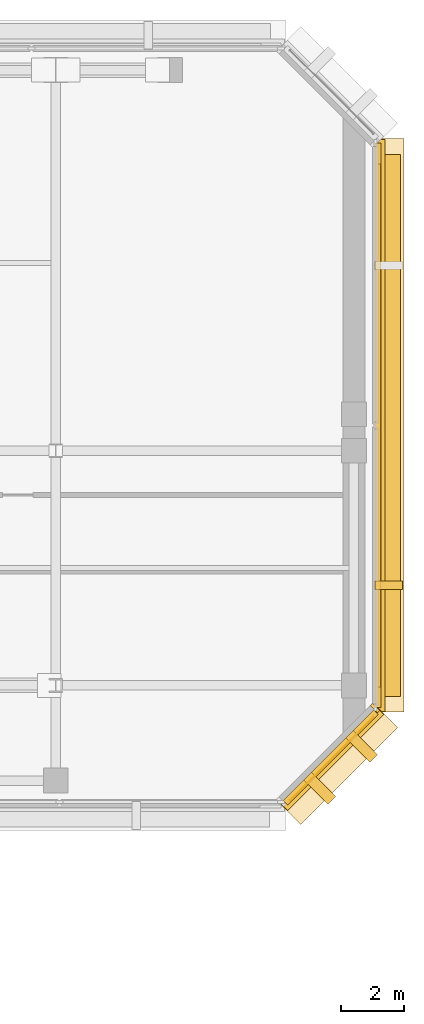
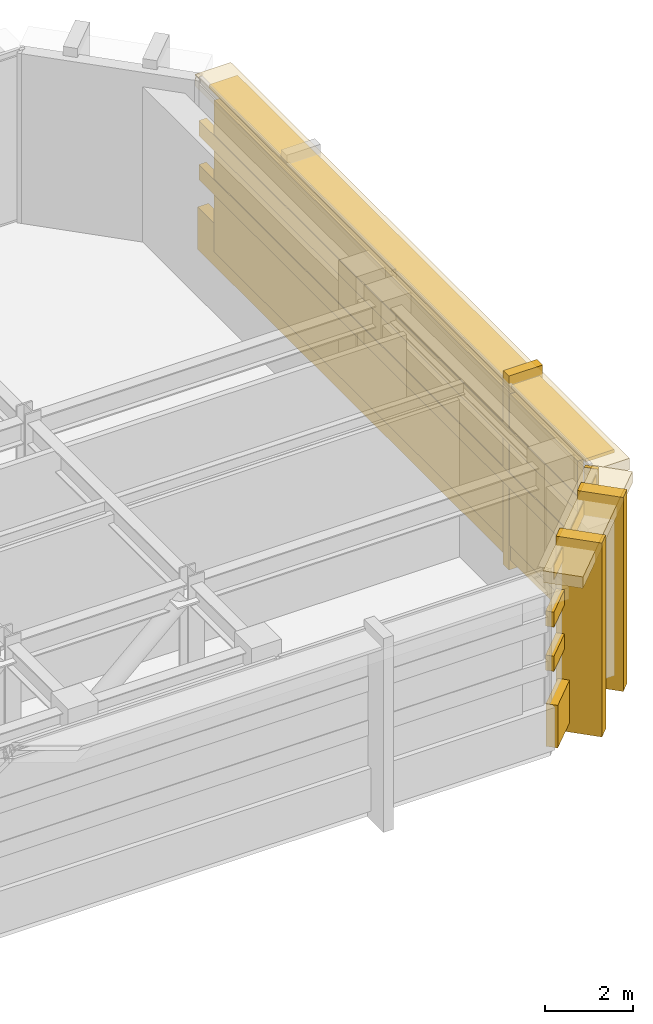
# One storey, part 9 of 11: 13 coverings, 2 shading devices.
"""IFC4 building model written with IfcOpenShell, lengths in metres."""

from ifc_helpers import new_model, si_unit, direction, frame, origin, origin_2d, place, context, subcontext, project, spatial, rectangle, extrude, material, layer, layer_set, type_object, element, save


model = new_model("IFC4")

# Units and contexts
model_context = context("Model", 3, precision=1e-05, world=origin(), true_north=direction((0.0, 1.0)))
body_context = subcontext(model_context, "Body", "Model", "MODEL_VIEW")
ifc_project = project(units=[si_unit("LENGTHUNIT", "METRE"), si_unit("AREAUNIT", "SQUARE_METRE"), si_unit("VOLUMEUNIT", "CUBIC_METRE"), si_unit("PLANEANGLEUNIT", "RADIAN"), si_unit("MASSUNIT", "GRAM", prefix="KILO")], contexts=[model_context])

# Site, building, storey
site_placement = place(None, origin())
site = spatial("IfcSite", under=ifc_project, at=site_placement, CompositionType="ELEMENT")
building_placement = place(site_placement, origin())
building = spatial("IfcBuilding", under=site, at=building_placement, Name="Kefirva Bronze Tower", CompositionType="ELEMENT")
storey_placement = place(building_placement, frame((0.0, 0.0, 251.4599609375)))
storey = spatial("IfcBuildingStorey", under=building, at=storey_placement, Name="L61", CompositionType="ELEMENT", Elevation=251.4599609375)

# Coverings
ifc_material = material(Name="Bronze anodised aluminium", Category="aluminium")
ifc_layer_1 = layer(ifc_material, 0.02001953125, Name="Bronze anodised aluminium")
ifc_layer_set_1 = layer_set([ifc_layer_1], Name="Bronze anodised aluminium")
covering_type_1 = type_object("IfcCoveringType", Name="Anodised Bronze Spandrel Cladding 20mm", PredefinedType="CLADDING", material=ifc_layer_set_1)
covering_1_placement = place(storey_placement, frame((48.70703125, 23.492919921875, 4.280029296875), z_axis=(0.0, 0.0, 1.0), x_axis=(0.707106781187, 0.707106781187, 0.0)))
element("IfcCovering", 1, at=covering_1_placement, inside=storey, type_object=covering_type_1, Name="L61 Bronze Spandrel Cladding 4", PredefinedType="CLADDING", context=body_context, shape_type="SweptSolid", body=[
    extrude(rectangle(XDim=3.719482421875, YDim=0.02001953125, at=origin_2d()), origin(), (0.0, 0.0, 1.0), 0.39990234375),
])
covering_2_placement = place(storey_placement, frame((50.06201171875, 25.08837890625, 0.0), z_axis=(0.0, 0.0, 1.0), x_axis=(0.707106781187, 0.707106781187, 0.0)))
element("IfcCovering", 2, at=covering_2_placement, inside=storey, type_object=covering_type_1, Name="L61 Facade Joint Closure Panel 4E", PredefinedType="CLADDING", context=body_context, shape_type="SweptSolid", body=[
    extrude(rectangle(XDim=0.10009765625, YDim=0.320068359375, at=origin_2d()), origin(), (0.0, 0.0, 1.0), 4.699951171875),
])
covering_3_placement = place(storey_placement, frame((48.728271484375, 23.4716796875, -0.16015625), z_axis=(0.0, 0.0, 1.0), x_axis=(0.707106781187, 0.707106781187, 0.0)))
element("IfcCovering", 3, at=covering_3_placement, inside=storey, type_object=covering_type_1, Name="L61 Streamline Horizontal Spandrel Band 5", PredefinedType="CLADDING", context=body_context, shape_type="SweptSolid", body=[
    extrude(rectangle(XDim=4.28271484375, YDim=0.280029296875, at=origin_2d()), origin(), (0.0, 0.0, 1.0), 1.179931640625),
])
for number, where, z_axis, x_axis, name in (
    (4, (48.671630859375, 23.5283203125, 1.858154296875), (0.0, 0.0, 1.0), (0.707106781187, 0.707106781187, 0.0), "L61 Recessed Zone-Break Bronze Louvre Band 5-1"),
    (5, (48.671630859375, 23.5283203125, 3.080078125), (0.0, 0.0, 1.0), (0.707106781187, 0.707106781187, 0.0), "L61 Recessed Zone-Break Bronze Louvre Band 5-2"),
):
    element("IfcCovering", number, at=place(storey_placement, frame(where, z_axis=z_axis, x_axis=x_axis)), inside=storey, type_object=covering_type_1, Name=name, PredefinedType="CLADDING", context=body_context, shape_type="SweptSolid", body=[
        extrude(rectangle(XDim=4.04248046875, YDim=0.199951171875, at=origin_2d()), origin(), (0.0, 0.0, 1.0), 0.419921875),
    ])
covering_4_placement = place(storey_placement, frame((50.239990234375, 34.0, -0.16015625), z_axis=(0.0, 0.0, 1.0), x_axis=(0.0, 1.0, 0.0)))
element("IfcCovering", 6, at=covering_4_placement, inside=storey, type_object=covering_type_1, Name="L61 Streamline Horizontal Spandrel Band 6", PredefinedType="CLADDING", context=body_context, shape_type="SweptSolid", body=[
    extrude(rectangle(XDim=18.0400390625, YDim=0.280029296875, at=origin_2d()), origin(), (0.0, 0.0, 1.0), 1.179931640625),
])
for number, where, z_axis, x_axis, name in (
    (7, (50.159912109375, 34.0, 1.858154296875), (0.0, 0.0, 1.0), (0.0, 1.0, 0.0), "L61 Recessed Zone-Break Bronze Louvre Band 6-1"),
    (8, (50.159912109375, 34.0, 3.080078125), (0.0, 0.0, 1.0), (0.0, 1.0, 0.0), "L61 Recessed Zone-Break Bronze Louvre Band 6-2"),
):
    element("IfcCovering", number, at=place(storey_placement, frame(where, z_axis=z_axis, x_axis=x_axis)), inside=storey, type_object=covering_type_1, Name=name, PredefinedType="CLADDING", context=body_context, shape_type="SweptSolid", body=[
        extrude(rectangle(XDim=17.800048828125, YDim=0.199951171875, at=origin_2d()), origin(), (0.0, 0.0, 1.0), 0.419921875),
    ])

# Shading devices
ifc_layer_2 = layer(ifc_material, 0.090087890625, Name="Bronze anodised aluminium")
ifc_layer_set_2 = layer_set([ifc_layer_2], Name="Bronze anodised aluminium")
shading_device_type_1 = type_object("IfcShadingDeviceType", Name="Horizontal Bronze Sunshade Band 750mm", PredefinedType="JALOUSIE", material=ifc_layer_set_2)
shading_device_1_placement = place(storey_placement, frame((50.4951171875, 34.0, 4.59521484375), z_axis=(0.0, 0.0, 1.0), x_axis=(0.0, 1.0, 0.0)))
element("IfcShadingDevice", 9, at=shading_device_1_placement, inside=storey, type_object=shading_device_type_1, Name="L61 Horizontal Bronze Sunshade Band 6", PredefinedType="JALOUSIE", context=body_context, shape_type="SweptSolid", body=[
    extrude(rectangle(XDim=17.090087890625, YDim=0.75, at=origin_2d()), origin(), (0.0, 0.0, 1.0), 0.090087890625),
])
ifc_layer_3 = layer(ifc_material, 0.159912109375, Name="Bronze anodised aluminium")
ifc_layer_set_3 = layer_set([ifc_layer_3], Name="Bronze anodised aluminium")
shading_device_type_2 = type_object("IfcShadingDeviceType", Name="Recessed Zone-Break Acoustic Louvre Screen", PredefinedType="SHUTTER", material=ifc_layer_set_3)
shading_device_2_placement = place(storey_placement, frame((50.159912109375, 34.0, 0.25), z_axis=(0.0, 0.0, 1.0), x_axis=(0.0, 1.0, 0.0)))
element("IfcShadingDevice", 10, at=shading_device_2_placement, inside=storey, type_object=shading_device_type_2, Name="L61 Acoustic Plant Louvre Screen 6", PredefinedType="SHUTTER", context=body_context, shape_type="SweptSolid", body=[
    extrude(rectangle(XDim=16.489990234375, YDim=0.159912109375, at=origin_2d()), origin(), (0.0, 0.0, 1.0), 4.199951171875),
])

# Coverings
ifc_layer_4 = layer(ifc_material, 0.179931640625, Name="Bronze anodised aluminium")
ifc_layer_set_4 = layer_set([ifc_layer_4], Name="Bronze anodised aluminium")
covering_type_2 = type_object("IfcCoveringType", Name="Streamline Bronze Sunshade Eyebrow Cladding 180mm", PredefinedType="CLADDING", material=ifc_layer_set_4)
covering_5_placement = place(storey_placement, frame((48.919189453125, 23.28076171875, 4.3798828125), z_axis=(0.0, 0.0, 1.0), x_axis=(0.707106781187, 0.707106781187, 0.0)))
element("IfcCovering", 11, at=covering_5_placement, inside=storey, type_object=covering_type_2, Name="L61 Streamline Bronze Sunshade Eyebrow 5", PredefinedType="CLADDING", context=body_context, shape_type="SweptSolid", body=[
    extrude(rectangle(XDim=4.322509765625, YDim=0.93994140625, at=origin_2d()), origin(), (0.0, 0.0, 1.0), 0.320068359375),
])
covering_6_placement = place(storey_placement, frame((50.510009765625, 34.0, 4.3798828125), z_axis=(0.0, 0.0, 1.0), x_axis=(0.0, 1.0, 0.0)))
element("IfcCovering", 12, at=covering_6_placement, inside=storey, type_object=covering_type_2, Name="L61 Streamline Bronze Sunshade Eyebrow 6", PredefinedType="CLADDING", context=body_context, shape_type="SweptSolid", body=[
    extrude(rectangle(XDim=18.080078125, YDim=0.93994140625, at=origin_2d()), origin(), (0.0, 0.0, 1.0), 0.320068359375),
])
ifc_layer_5 = layer(ifc_material, 0.260009765625, Name="Bronze anodised aluminium")
ifc_layer_set_5 = layer_set([ifc_layer_5], Name="Bronze anodised aluminium")
covering_type_3 = type_object("IfcCoveringType", Name="Unbroken Bronze Buttress Fin Cladding 260mm", PredefinedType="CLADDING", material=ifc_layer_set_5)
for number, where, z_axis, x_axis, name in (
    (13, (48.32275390625, 22.55712890625, -0.419921875), (0.0, 0.0, 1.0), (0.707106781187, 0.707106781187, 0.0), "L61 Chamfered Corner Buttress Fin Cladding 11"),
    (14, (49.642822265625, 23.877197265625, -0.419921875), (0.0, 0.0, 1.0), (0.707106781187, 0.707106781187, 0.0), "L61 Chamfered Corner Buttress Fin Cladding 12"),
):
    element("IfcCovering", number, at=place(storey_placement, frame(where, z_axis=z_axis, x_axis=x_axis)), inside=storey, type_object=covering_type_3, Name=name, PredefinedType="CLADDING", context=body_context, shape_type="SweptSolid", body=[
        extrude(rectangle(XDim=0.340087890625, YDim=1.080078125, at=origin_2d()), origin(), (0.0, 0.0, 1.0), 5.3701171875),
    ])
covering_7_placement = place(storey_placement, frame((50.5, 28.9599609375, -0.419921875), z_axis=(0.0, 0.0, 1.0), x_axis=(0.0, 1.0, 0.0)))
element("IfcCovering", 15, at=covering_7_placement, inside=storey, type_object=covering_type_3, Name="L61 Unbroken Vertical Bronze Rib Fin 13", PredefinedType="CLADDING", context=body_context, shape_type="SweptSolid", body=[
    extrude(rectangle(XDim=0.260009765625, YDim=0.8798828125, at=origin_2d()), origin(), (0.0, 0.0, 1.0), 5.3701171875),
])

save(model, "model.ifc")
